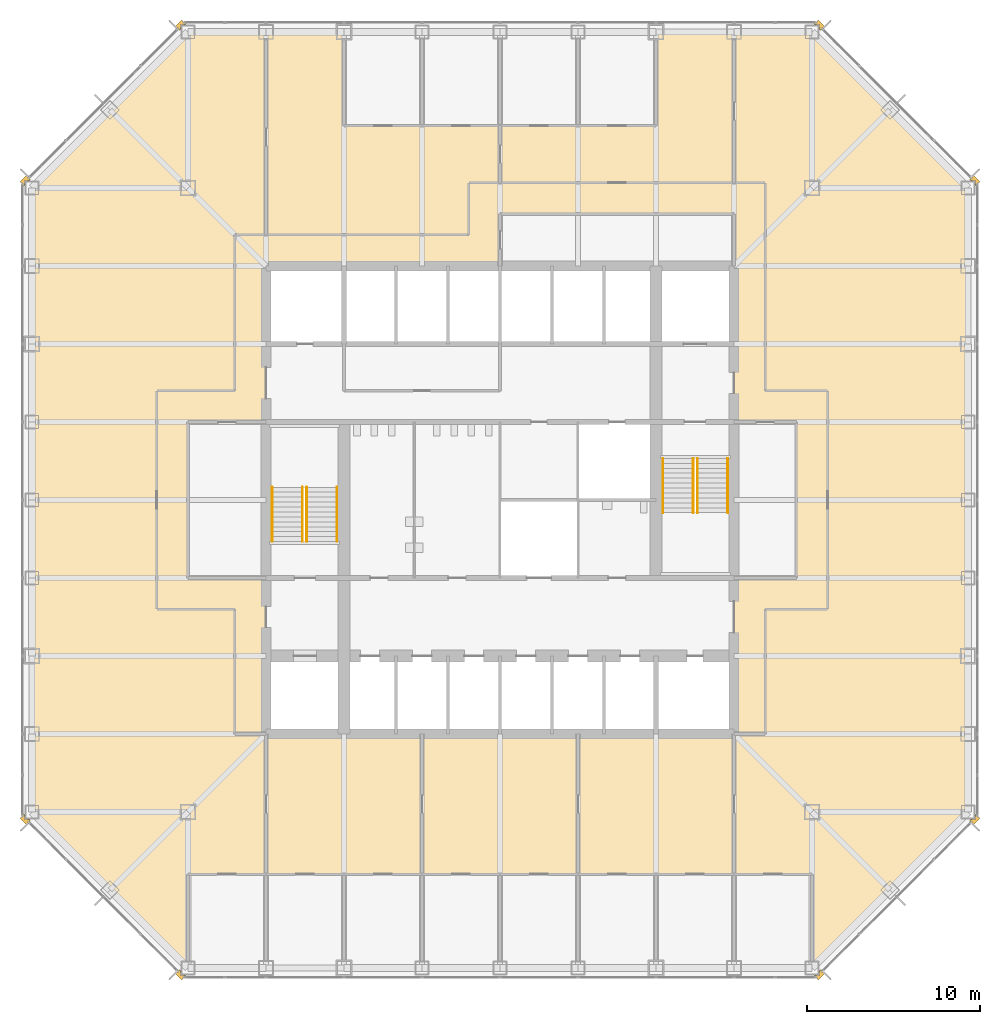
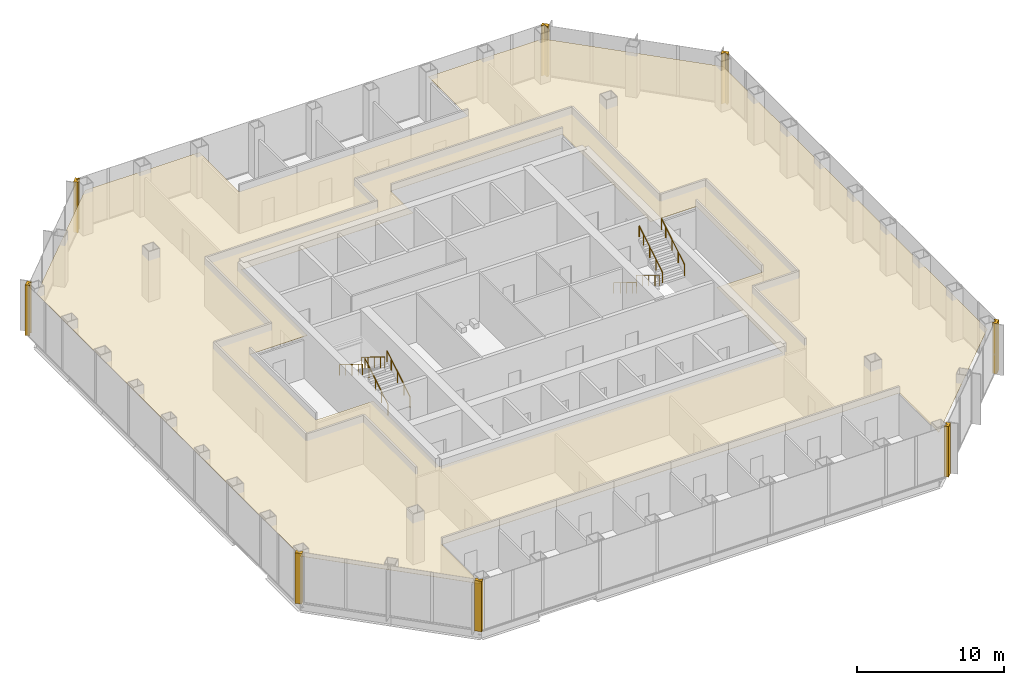
# One storey, part 12 of 13: 9 coverings, 8 railings.
"""IFC4 building model written with IfcOpenShell, lengths in metres."""

from ifc_helpers import new_model, si_unit, direction, frame, origin, origin_2d, place, context, subcontext, project, spatial, polyline, circle, outline, extrude, material, layer, layer_set, type_object, element, save


model = new_model("IFC4")

# Units and contexts
model_context = context("Model", 3, precision=1e-05, world=origin(), true_north=direction((0.0, 1.0)))
body_context = subcontext(model_context, "Body", "Model", "MODEL_VIEW")
ifc_project = project(units=[si_unit("LENGTHUNIT", "METRE"), si_unit("AREAUNIT", "SQUARE_METRE"), si_unit("VOLUMEUNIT", "CUBIC_METRE"), si_unit("PLANEANGLEUNIT", "RADIAN"), si_unit("MASSUNIT", "GRAM", prefix="KILO")], contexts=[model_context])

# Site, building, storey
site_placement = place(None, origin())
site = spatial("IfcSite", under=ifc_project, at=site_placement, CompositionType="ELEMENT")
building_placement = place(site_placement, origin())
building = spatial("IfcBuilding", under=site, at=building_placement, Name="Corais Broadcast Tower", CompositionType="ELEMENT")
storey_placement = place(building_placement, frame((0.0, 0.0, 83.60009765625)))
storey = spatial("IfcBuildingStorey", under=building, at=storey_placement, Name="L18", CompositionType="ELEMENT", Elevation=83.60009765625)

# Railings
ifc_material_1 = material(Name="Stainless steel handrail", Category="steel")
railing_type = type_object("IfcRailingType", Name="Handrail 920", PredefinedType="HANDRAIL", material=ifc_material_1)
for number, where, name in (
    (1, (17.60009765625, 24.60009765625, 0.1748046875), "HR1 L18"),
    (2, (15.85009765625, 24.60009765625, 0.1748046875), "HR1 L18"),
):
    element("IfcRailing", number, at=place(storey_placement, frame(where)), inside=storey, type_object=railing_type, Name=name, PredefinedType="HANDRAIL", context=body_context, shape_type="SweptSolid", body=[
        extrude(circle(Radius=0.02392578125, at=origin_2d()), frame((0.0, 0.0, 0.89599609375), z_axis=(0.0, 0.852166034122, 0.523271488128), x_axis=(-1.0, 0.0, 0.0)), (0.0, 0.0, 1.0), 3.678955078125),
        extrude(circle(Radius=0.02099609375, at=origin_2d()), origin(), (0.0, 0.0, 1.0), 0.871826171875),
        extrude(circle(Radius=0.02099609375, at=origin_2d()), frame((0.0, 0.85498046875, 0.52490234375)), (0.0, 0.0, 1.0), 0.871826171875),
        extrude(circle(Radius=0.02099609375, at=origin_2d()), frame((0.0, 1.7099609375, 1.050048828125)), (0.0, 0.0, 1.0), 0.871826171875),
        extrude(circle(Radius=0.02099609375, at=origin_2d()), frame((0.0, 2.56494140625, 1.574951171875)), (0.0, 0.0, 1.0), 0.871826171875),
        extrude(circle(Radius=0.02099609375, at=origin_2d()), frame((0.0, 3.135009765625, 1.925048828125)), (0.0, 0.0, 1.0), 0.871826171875),
    ])
for number, where, name in (
    (3, (13.85009765625, 27.735107421875, 2.27490234375), "HR1 L18"),
    (4, (15.60009765625, 27.735107421875, 2.27490234375), "HR1 L18"),
    (5, (36.39990234375, 29.39990234375, 0.1748046875), "HR1 L18"),
    (6, (38.14990234375, 29.39990234375, 0.1748046875), "HR1 L18"),
):
    element("IfcRailing", number, at=place(storey_placement, frame(where)), inside=storey, type_object=railing_type, Name=name, PredefinedType="HANDRAIL", context=body_context, shape_type="SweptSolid", body=[
        extrude(circle(Radius=0.02392578125, at=origin_2d()), frame((0.0, 0.0, 0.89599609375), z_axis=(0.0, -0.852166034122, 0.523271488128), x_axis=(1.0, 0.0, 0.0)), (0.0, 0.0, 1.0), 3.678955078125),
        extrude(circle(Radius=0.02099609375, at=origin_2d()), origin(), (0.0, 0.0, 1.0), 0.871826171875),
        extrude(circle(Radius=0.02099609375, at=origin_2d()), frame((0.0, -0.85498046875, 0.52490234375)), (0.0, 0.0, 1.0), 0.871826171875),
        extrude(circle(Radius=0.02099609375, at=origin_2d()), frame((0.0, -1.7099609375, 1.050048828125)), (0.0, 0.0, 1.0), 0.871826171875),
        extrude(circle(Radius=0.02099609375, at=origin_2d()), frame((0.0, -2.56494140625, 1.574951171875)), (0.0, 0.0, 1.0), 0.871826171875),
        extrude(circle(Radius=0.02099609375, at=origin_2d()), frame((0.0, -3.135009765625, 1.925048828125)), (0.0, 0.0, 1.0), 0.871826171875),
    ])
for number, where, name in (
    (7, (40.14990234375, 26.264892578125, 2.27490234375), "HR1 L18"),
    (8, (38.39990234375, 26.264892578125, 2.27490234375), "HR1 L18"),
):
    element("IfcRailing", number, at=place(storey_placement, frame(where)), inside=storey, type_object=railing_type, Name=name, PredefinedType="HANDRAIL", context=body_context, shape_type="SweptSolid", body=[
        extrude(circle(Radius=0.02392578125, at=origin_2d()), frame((0.0, 0.0, 0.89599609375), z_axis=(0.0, 0.852166034122, 0.523271488128), x_axis=(-1.0, 0.0, 0.0)), (0.0, 0.0, 1.0), 3.678955078125),
        extrude(circle(Radius=0.02099609375, at=origin_2d()), origin(), (0.0, 0.0, 1.0), 0.871826171875),
        extrude(circle(Radius=0.02099609375, at=origin_2d()), frame((0.0, 0.85498046875, 0.52490234375)), (0.0, 0.0, 1.0), 0.871826171875),
        extrude(circle(Radius=0.02099609375, at=origin_2d()), frame((0.0, 1.7099609375, 1.050048828125)), (0.0, 0.0, 1.0), 0.871826171875),
        extrude(circle(Radius=0.02099609375, at=origin_2d()), frame((0.0, 2.56494140625, 1.574951171875)), (0.0, 0.0, 1.0), 0.871826171875),
        extrude(circle(Radius=0.02099609375, at=origin_2d()), frame((0.0, 3.135009765625, 1.925048828125)), (0.0, 0.0, 1.0), 0.871826171875),
    ])

# Coverings
ifc_material_2 = material(Name="Granite stone cladding", Category="masonry")
ifc_layer_1 = layer(ifc_material_2, 0.324951171875)
ifc_layer_set_1 = layer_set([ifc_layer_1], Name="Granite stone cladding")
covering_type_1 = type_object("IfcCoveringType", Name="Stone corner pier cladding 500x325", PredefinedType="CLADDING", material=ifc_layer_set_1)
covering_1_placement = place(storey_placement, origin())
element("IfcCovering", 9, at=covering_1_placement, inside=storey, type_object=covering_type_1, Name="SP1 stone corner pier L18", PredefinedType="CLADDING", context=body_context, shape_type="SweptSolid", body=[
    extrude(outline(polyline([(8.860595703125, -0.461669921875), (8.823974609375, -0.425048828125), (8.574951171875, -0.425048828125), (8.574951171875, -0.176025390625), (8.507080078125, -0.108154296875), (8.277099609375, -0.337890625), (8.630859375, -0.69140625), (8.860595703125, -0.461669921875)])), origin(), (0.0, 0.0, 1.0), 4.199951171875),
])
covering_2_placement = place(storey_placement, origin())
element("IfcCovering", 10, at=covering_2_placement, inside=storey, type_object=covering_type_1, Name="SP1 stone corner pier L18", PredefinedType="CLADDING", context=body_context, shape_type="SweptSolid", body=[
    extrude(outline(polyline([(-0.425048828125, 8.823974609375), (-0.461669921875, 8.860595703125), (-0.69140625, 8.630859375), (-0.337890625, 8.277099609375), (-0.108154296875, 8.507080078125), (-0.176025390625, 8.574951171875), (-0.425048828125, 8.574951171875), (-0.425048828125, 8.823974609375)])), origin(), (0.0, 0.0, 1.0), 4.199951171875),
])
covering_3_placement = place(storey_placement, origin())
element("IfcCovering", 11, at=covering_3_placement, inside=storey, type_object=covering_type_1, Name="SP1 stone corner pier L18", PredefinedType="CLADDING", context=body_context, shape_type="SweptSolid", body=[
    extrude(outline(polyline([(-0.461669921875, 45.139404296875), (-0.425048828125, 45.176025390625), (-0.425048828125, 45.425048828125), (-0.176025390625, 45.425048828125), (-0.108154296875, 45.492919921875), (-0.337890625, 45.722900390625), (-0.69140625, 45.369140625), (-0.461669921875, 45.139404296875)])), origin(), (0.0, 0.0, 1.0), 4.199951171875),
])
covering_4_placement = place(storey_placement, origin())
element("IfcCovering", 12, at=covering_4_placement, inside=storey, type_object=covering_type_1, Name="SP1 stone corner pier L18", PredefinedType="CLADDING", context=body_context, shape_type="SweptSolid", body=[
    extrude(outline(polyline([(8.823974609375, 54.425048828125), (8.860595703125, 54.461669921875), (8.630859375, 54.69140625), (8.277099609375, 54.337890625), (8.507080078125, 54.108154296875), (8.574951171875, 54.176025390625), (8.574951171875, 54.425048828125), (8.823974609375, 54.425048828125)])), origin(), (0.0, 0.0, 1.0), 4.199951171875),
])
covering_5_placement = place(storey_placement, origin())
element("IfcCovering", 13, at=covering_5_placement, inside=storey, type_object=covering_type_1, Name="SP1 stone corner pier L18", PredefinedType="CLADDING", context=body_context, shape_type="SweptSolid", body=[
    extrude(outline(polyline([(45.139404296875, 54.461669921875), (45.176025390625, 54.425048828125), (45.425048828125, 54.425048828125), (45.425048828125, 54.176025390625), (45.492919921875, 54.108154296875), (45.722900390625, 54.337890625), (45.369140625, 54.69140625), (45.139404296875, 54.461669921875)])), origin(), (0.0, 0.0, 1.0), 4.199951171875),
])
covering_6_placement = place(storey_placement, origin())
element("IfcCovering", 14, at=covering_6_placement, inside=storey, type_object=covering_type_1, Name="SP1 stone corner pier L18", PredefinedType="CLADDING", context=body_context, shape_type="SweptSolid", body=[
    extrude(outline(polyline([(54.425048828125, 45.176025390625), (54.461669921875, 45.139404296875), (54.69140625, 45.369140625), (54.337890625, 45.722900390625), (54.108154296875, 45.492919921875), (54.176025390625, 45.425048828125), (54.425048828125, 45.425048828125), (54.425048828125, 45.176025390625)])), origin(), (0.0, 0.0, 1.0), 4.199951171875),
])
covering_7_placement = place(storey_placement, origin())
element("IfcCovering", 15, at=covering_7_placement, inside=storey, type_object=covering_type_1, Name="SP1 stone corner pier L18", PredefinedType="CLADDING", context=body_context, shape_type="SweptSolid", body=[
    extrude(outline(polyline([(54.461669921875, 8.860595703125), (54.425048828125, 8.823974609375), (54.425048828125, 8.574951171875), (54.176025390625, 8.574951171875), (54.108154296875, 8.507080078125), (54.337890625, 8.277099609375), (54.69140625, 8.630859375), (54.461669921875, 8.860595703125)])), origin(), (0.0, 0.0, 1.0), 4.199951171875),
])
covering_8_placement = place(storey_placement, origin())
element("IfcCovering", 16, at=covering_8_placement, inside=storey, type_object=covering_type_1, Name="SP1 stone corner pier L18", PredefinedType="CLADDING", context=body_context, shape_type="SweptSolid", body=[
    extrude(outline(polyline([(45.176025390625, -0.425048828125), (45.139404296875, -0.461669921875), (45.369140625, -0.69140625), (45.722900390625, -0.337890625), (45.492919921875, -0.108154296875), (45.425048828125, -0.176025390625), (45.425048828125, -0.425048828125), (45.176025390625, -0.425048828125)])), origin(), (0.0, 0.0, 1.0), 4.199951171875),
])
ifc_material_3 = material(Name="Mineral fibre ceiling tile", Category="mineral")
ifc_layer_2 = layer(ifc_material_3, 0.02001953125)
ifc_layer_set_2 = layer_set([ifc_layer_2], Name="Mineral fibre ceiling tile")
covering_type_2 = type_object("IfcCoveringType", Name="Suspended ceiling", PredefinedType="CEILING", material=ifc_layer_set_2)
covering_9_placement = place(storey_placement, frame((0.0, 0.0, 3.419921875)))
element("IfcCovering", 17, at=covering_9_placement, inside=storey, type_object=covering_type_2, Name="CE1 ceiling L18", PredefinedType="CEILING", context=body_context, shape_type="SweptSolid", body=[
    extrude(outline(polyline([(9.0, 5.39990234375), (9.0, 0.0), (0.0, 9.0), (0.0, 45.0), (9.0, 54.0), (18.0, 54.0), (18.0, 48.60009765625), (36.0, 48.60009765625), (36.0, 54.0), (45.0, 54.0), (54.0, 45.0), (54.0, 9.0), (45.0, 0.0), (45.0, 5.39990234375), (9.0, 5.39990234375)]), holes=[polyline([(40.5, 13.5), (40.5, 22.5), (44.10009765625, 22.5), (44.10009765625, 31.5), (40.5, 31.5), (40.5, 43.5), (27.0, 43.5), (27.0, 40.5), (13.5, 40.5), (13.5, 31.5), (9.0, 31.5), (9.0, 22.5), (13.5, 22.5), (13.5, 13.5), (40.5, 13.5)])]), origin(), (0.0, 0.0, 1.0), 0.02001953125),
])

save(model, "model.ifc")
